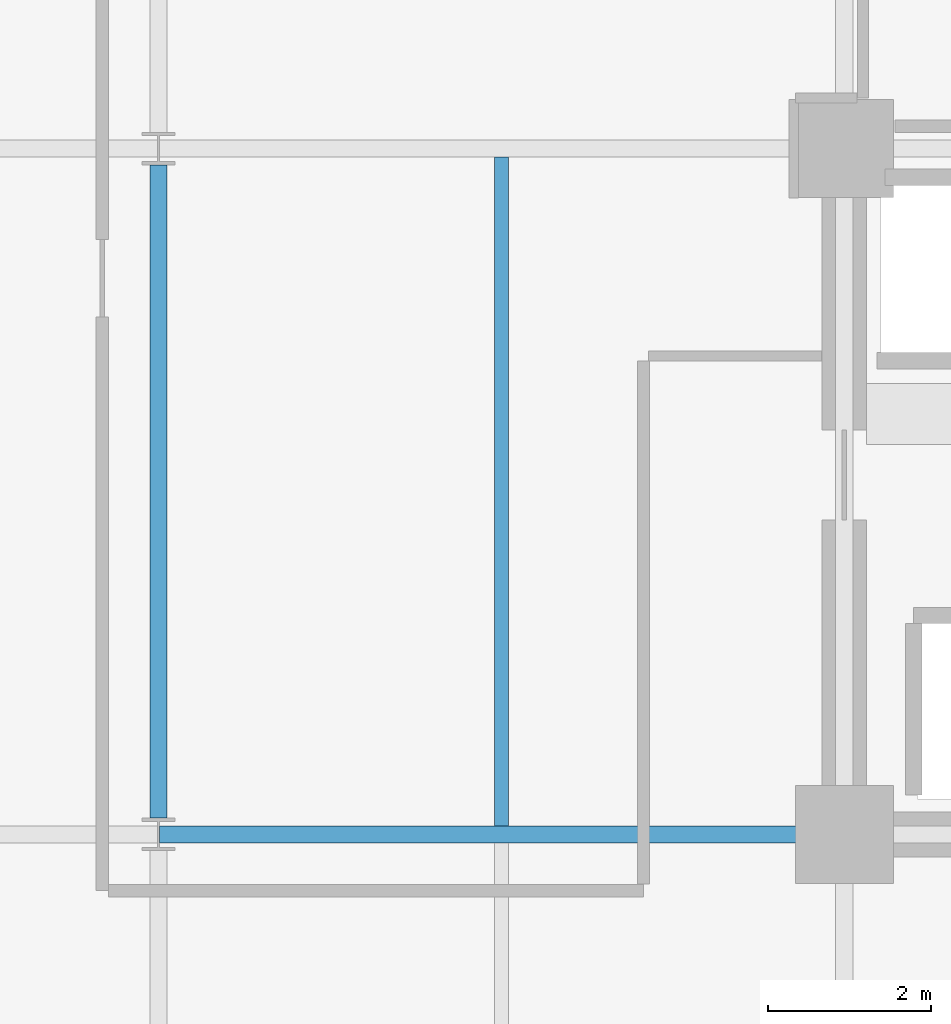
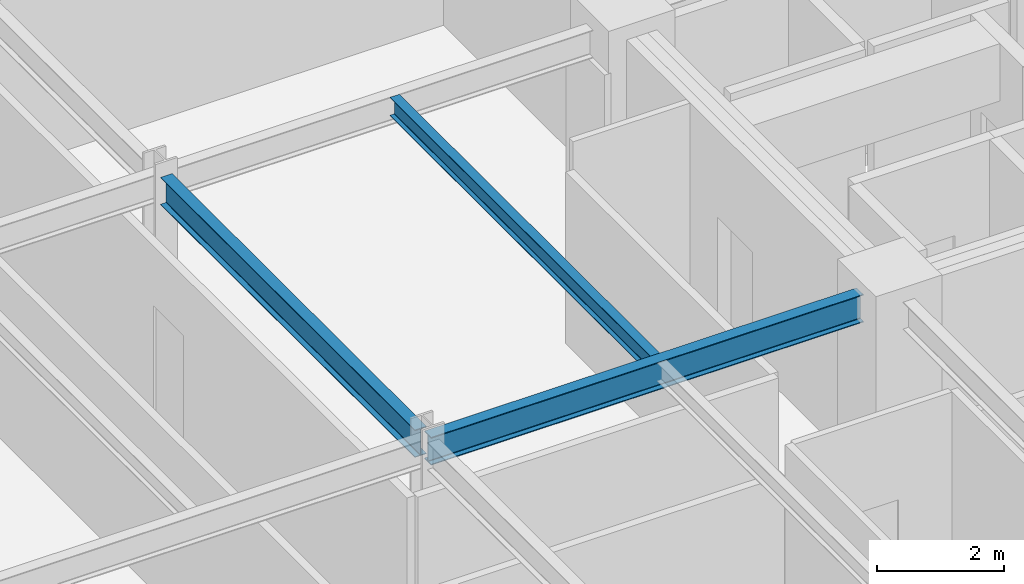
# One storey, part 7 of 38: 3 beams.
"""IFC4 building model written with IfcOpenShell, lengths in metres."""

from ifc_helpers import new_model, si_unit, direction, frame, origin, origin_2d, place, context, subcontext, project, spatial, i_section, extrude, material, material_profile, profile_set, type_object, element, save


model = new_model("IFC4")

# Units and contexts
model_context = context("Model", 3, precision=1e-05, world=origin(), true_north=direction((0.0, 1.0)))
body_context = subcontext(model_context, "Body", "Model", "MODEL_VIEW")
ifc_project = project(units=[si_unit("LENGTHUNIT", "METRE"), si_unit("AREAUNIT", "SQUARE_METRE"), si_unit("VOLUMEUNIT", "CUBIC_METRE"), si_unit("PLANEANGLEUNIT", "RADIAN"), si_unit("MASSUNIT", "GRAM", prefix="KILO")], contexts=[model_context])

# Site, building, storey
site_placement = place(None, origin())
site = spatial("IfcSite", under=ifc_project, at=site_placement, CompositionType="ELEMENT")
building_placement = place(site_placement, origin())
building = spatial("IfcBuilding", under=site, at=building_placement, Name="Nerrivon Quay Data Exchange", CompositionType="ELEMENT")
storey_placement = place(building_placement, frame((0.0, 0.0, 88.5)))
storey = spatial("IfcBuildingStorey", under=building, at=storey_placement, Name="L20", CompositionType="ELEMENT", Elevation=88.5)

# Beams
ifc_material = material(Name="Steel Grade 350", Category="steel")
ifc_material_profile_1 = material_profile(ifc_material, i_section(OverallWidth=0.208984375, OverallDepth=0.532958984375, WebThickness=0.01025390625, FlangeThickness=0.015625, FilletRadius=0.013916015625, at=origin_2d()), Name="530UB92.4")
ifc_profile_set_1 = profile_set([ifc_material_profile_1], Name="Steel Grade 350")
beam_type_1 = type_object("IfcBeamType", Name="BM-G3-530UB92", PredefinedType="BEAM", material=ifc_profile_set_1)
beam_1_placement = place(storey_placement, frame((8.41259765625, 8.39990234375, 3.55859375), z_axis=(1.0, 0.0, 0.0), x_axis=(0.0, 1.0, 0.0)))
element("IfcBeam", 1, at=beam_1_placement, inside=storey, type_object=beam_type_1, Name="L20 EW Girder Y=8.4 (8.4..16.8)", PredefinedType="BEAM", context=body_context, shape_type="SweptSolid", body=[
    extrude(i_section(OverallWidth=0.208984375, OverallDepth=0.532958984375, WebThickness=0.01025390625, FlangeThickness=0.015625, FilletRadius=0.013916015625, at=origin_2d()), origin(), (0.0, 0.0, 1.0), 7.847412109375),
])
ifc_material_profile_2 = material_profile(ifc_material, i_section(OverallWidth=0.208984375, OverallDepth=0.528076171875, WebThickness=0.009521484375, FlangeThickness=0.01318359375, FilletRadius=0.013916015625, at=origin_2d()), Name="530UB82.0")
ifc_profile_set_2 = profile_set([ifc_material_profile_2], Name="Steel Grade 350")
beam_type_2 = type_object("IfcBeamType", Name="BM-G4-530UB82", PredefinedType="BEAM", material=ifc_profile_set_2)
beam_2_placement = place(storey_placement, frame((8.39990234375, 8.60009765625, 3.56103515625), z_axis=(0.0, 1.0, 0.0), x_axis=(-1.0, 0.0, 0.0)))
element("IfcBeam", 2, at=beam_2_placement, inside=storey, type_object=beam_type_2, Name="L20 NS Girder X=8.4 (8.4..16.8)", PredefinedType="BEAM", context=body_context, shape_type="SweptSolid", body=[
    extrude(i_section(OverallWidth=0.208984375, OverallDepth=0.528076171875, WebThickness=0.009521484375, FlangeThickness=0.01318359375, FilletRadius=0.013916015625, at=origin_2d()), origin(), (0.0, 0.0, 1.0), 8.0),
])
ifc_material_profile_3 = material_profile(ifc_material, i_section(OverallWidth=0.1708984375, OverallDepth=0.35595703125, WebThickness=0.00732421875, FlangeThickness=0.011474609375, FilletRadius=0.011474609375, at=origin_2d()), Name="360UB50.7")
ifc_profile_set_3 = profile_set([ifc_material_profile_3], Name="Steel Grade 350")
beam_type_3 = type_object("IfcBeamType", Name="BM-J4-360UB51", PredefinedType="JOIST", material=ifc_profile_set_3)
beam_3_placement = place(storey_placement, frame((12.60009765625, 8.50439453125, 3.64697265625), z_axis=(0.0, 1.0, 0.0), x_axis=(-1.0, 0.0, 0.0)))
element("IfcBeam", 3, at=beam_3_placement, inside=storey, type_object=beam_type_3, Name="L20 Secondary Joist X=12.6 (8.4..16.8)", PredefinedType="JOIST", context=body_context, shape_type="SweptSolid", body=[
    extrude(i_section(OverallWidth=0.1708984375, OverallDepth=0.35595703125, WebThickness=0.00732421875, FlangeThickness=0.011474609375, FilletRadius=0.011474609375, at=origin_2d()), origin(), (0.0, 0.0, 1.0), 8.191162109375),
])

save(model, "model.ifc")
